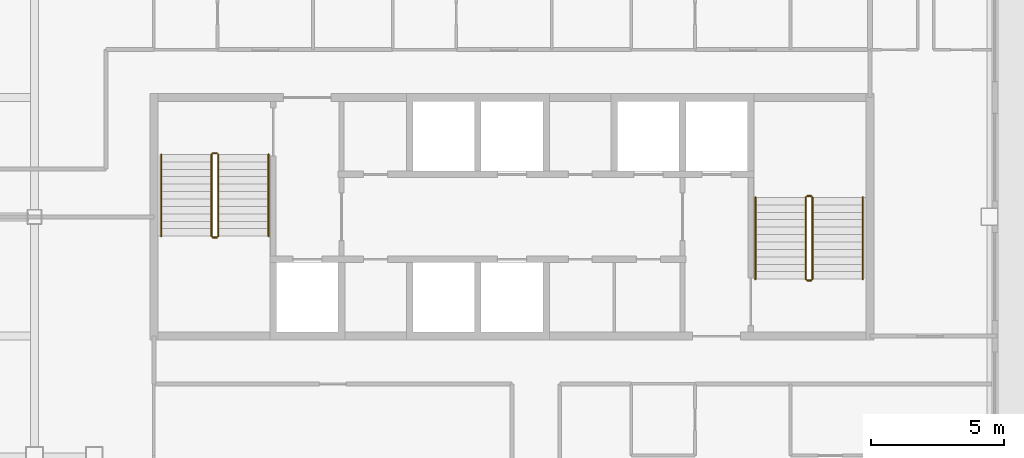
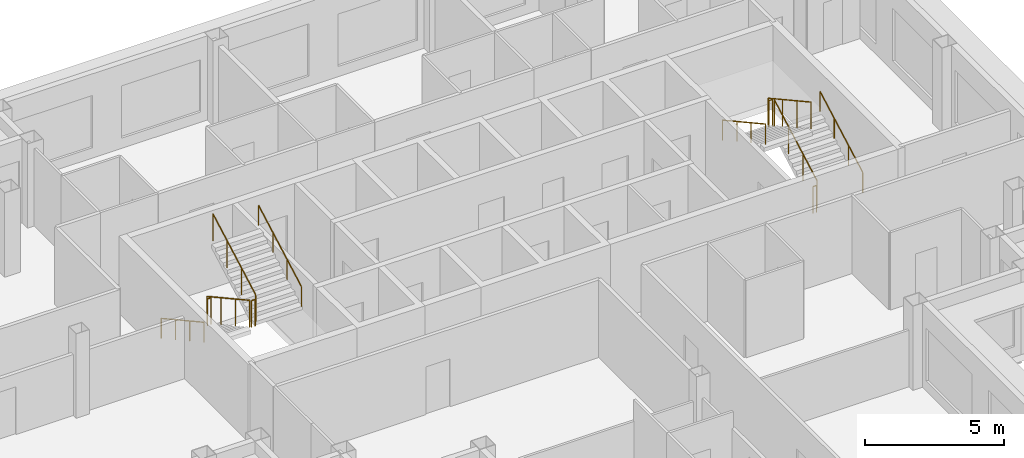
# One storey, part 11 of 11: 12 railings.
"""IFC4 building model written with IfcOpenShell, lengths in metres."""

from ifc_helpers import new_model, si_unit, direction, frame, origin, origin_2d, place, context, subcontext, project, spatial, circle, extrude, material, type_object, element, save


model = new_model("IFC4")

# Units and contexts
model_context = context("Model", 3, precision=1e-05, world=origin(), true_north=direction((0.0, 1.0)))
body_context = subcontext(model_context, "Body", "Model", "MODEL_VIEW")
ifc_project = project(units=[si_unit("LENGTHUNIT", "METRE"), si_unit("AREAUNIT", "SQUARE_METRE"), si_unit("VOLUMEUNIT", "CUBIC_METRE"), si_unit("PLANEANGLEUNIT", "RADIAN"), si_unit("MASSUNIT", "GRAM", prefix="KILO")], contexts=[model_context])

# Site, building, storey
site_placement = place(None, origin())
site = spatial("IfcSite", under=ifc_project, at=site_placement, CompositionType="ELEMENT")
building_placement = place(site_placement, origin())
building = spatial("IfcBuilding", under=site, at=building_placement, Name="Caravel Reach Hotel and Residences", CompositionType="ELEMENT")
storey_placement = place(building_placement, frame((0.0, 0.0, 225.699951171875)))
storey = spatial("IfcBuildingStorey", under=building, at=storey_placement, Name="L57", CompositionType="ELEMENT", Elevation=225.699951171875)

# Railings
ifc_material_1 = material(Name="Steel balustrade with glass infill", Category="steel")
railing_type_1 = type_object("IfcRailingType", Name="Guard 1200", PredefinedType="GUARDRAIL", material=ifc_material_1)
railing_1_placement = place(storey_placement, frame((20.175048828125, 29.35009765625, 0.154296875)))
element("IfcRailing", 1, at=railing_1_placement, inside=storey, type_object=railing_type_1, Name="L57 ST-A stair guard 1", PredefinedType="GUARDRAIL", context=body_context, shape_type="SweptSolid", body=[
    extrude(circle(Radius=0.02392578125, at=origin_2d()), frame((0.0, 0.0, 1.17578125), z_axis=(0.0, -0.876004717809, 0.482302534076), x_axis=(1.0, 0.0, 0.0)), (0.0, 0.0, 1.0), 3.51611328125),
    extrude(circle(Radius=0.02099609375, at=origin_2d()), origin(), (0.0, 0.0, 1.0), 1.15185546875),
    extrude(circle(Radius=0.02099609375, at=origin_2d()), frame((0.0, -1.026611328125, 0.565185546875)), (0.0, 0.0, 1.0), 1.15185546875),
    extrude(circle(Radius=0.02099609375, at=origin_2d()), frame((0.0, -2.053466796875, 1.130615234375)), (0.0, 0.0, 1.0), 1.15185546875),
    extrude(circle(Radius=0.02099609375, at=origin_2d()), frame((0.0, -3.080078125, 1.69580078125)), (0.0, 0.0, 1.0), 1.15185546875),
])
railing_2_placement = place(storey_placement, frame((20.22509765625, 26.219970703125, 1.85009765625)))
element("IfcRailing", 2, at=railing_2_placement, inside=storey, type_object=railing_type_1, Name="L57 ST-A stair guard 2", PredefinedType="GUARDRAIL", context=body_context, shape_type="SweptSolid", body=[
    extrude(circle(Radius=0.02392578125, at=origin_2d()), frame((0.0, 0.0, 1.17578125), z_axis=(1.0, 0.0, 0.0), x_axis=(0.0, 1.0, 0.0)), (0.0, 0.0, 1.0), 0.14990234375),
    extrude(circle(Radius=0.02099609375, at=origin_2d()), origin(), (0.0, 0.0, 1.0), 1.15185546875),
    extrude(circle(Radius=0.02099609375, at=origin_2d()), frame((0.14990234375, 0.0, 0.0)), (0.0, 0.0, 1.0), 1.15185546875),
])
railing_3_placement = place(storey_placement, frame((20.425048828125, 26.27001953125, 2.004150390625)))
element("IfcRailing", 3, at=railing_3_placement, inside=storey, type_object=railing_type_1, Name="L57 ST-A stair guard 3", PredefinedType="GUARDRAIL", context=body_context, shape_type="SweptSolid", body=[
    extrude(circle(Radius=0.02392578125, at=origin_2d()), frame((0.0, 0.0, 1.17578125), z_axis=(0.0, 0.876004717809, 0.482302534076), x_axis=(-1.0, 0.0, 0.0)), (0.0, 0.0, 1.0), 3.51611328125),
    extrude(circle(Radius=0.02099609375, at=origin_2d()), origin(), (0.0, 0.0, 1.0), 1.15185546875),
    extrude(circle(Radius=0.02099609375, at=origin_2d()), frame((0.0, 1.026611328125, 0.565185546875)), (0.0, 0.0, 1.0), 1.15185546875),
    extrude(circle(Radius=0.02099609375, at=origin_2d()), frame((0.0, 2.053466796875, 1.130615234375)), (0.0, 0.0, 1.0), 1.15185546875),
    extrude(circle(Radius=0.02099609375, at=origin_2d()), frame((0.0, 3.080078125, 1.69580078125)), (0.0, 0.0, 1.0), 1.15185546875),
])
railing_4_placement = place(storey_placement, frame((20.22509765625, 29.39990234375, 0.0)))
element("IfcRailing", 4, at=railing_4_placement, inside=storey, type_object=railing_type_1, Name="L57 ST-A stair guard 4", PredefinedType="GUARDRAIL", context=body_context, shape_type="SweptSolid", body=[
    extrude(circle(Radius=0.02392578125, at=origin_2d()), frame((0.0, 0.0, 1.17578125), z_axis=(1.0, 0.0, 0.0), x_axis=(0.0, 1.0, 0.0)), (0.0, 0.0, 1.0), 0.14990234375),
    extrude(circle(Radius=0.02099609375, at=origin_2d()), origin(), (0.0, 0.0, 1.0), 1.15185546875),
    extrude(circle(Radius=0.02099609375, at=origin_2d()), frame((0.14990234375, 0.0, 0.0)), (0.0, 0.0, 1.0), 1.15185546875),
])
railing_5_placement = place(storey_placement, frame((42.824951171875, 24.64990234375, 0.154296875)))
element("IfcRailing", 5, at=railing_5_placement, inside=storey, type_object=railing_type_1, Name="L57 ST-B stair guard 1", PredefinedType="GUARDRAIL", context=body_context, shape_type="SweptSolid", body=[
    extrude(circle(Radius=0.02392578125, at=origin_2d()), frame((0.0, 0.0, 1.17578125), z_axis=(0.0, 0.876004717809, 0.482302534076), x_axis=(-1.0, 0.0, 0.0)), (0.0, 0.0, 1.0), 3.51611328125),
    extrude(circle(Radius=0.02099609375, at=origin_2d()), origin(), (0.0, 0.0, 1.0), 1.15185546875),
    extrude(circle(Radius=0.02099609375, at=origin_2d()), frame((0.0, 1.026611328125, 0.565185546875)), (0.0, 0.0, 1.0), 1.15185546875),
    extrude(circle(Radius=0.02099609375, at=origin_2d()), frame((0.0, 2.053466796875, 1.130615234375)), (0.0, 0.0, 1.0), 1.15185546875),
    extrude(circle(Radius=0.02099609375, at=origin_2d()), frame((0.0, 3.080078125, 1.69580078125)), (0.0, 0.0, 1.0), 1.15185546875),
])
railing_6_placement = place(storey_placement, frame((42.77490234375, 27.780029296875, 1.85009765625)))
element("IfcRailing", 6, at=railing_6_placement, inside=storey, type_object=railing_type_1, Name="L57 ST-B stair guard 2", PredefinedType="GUARDRAIL", context=body_context, shape_type="SweptSolid", body=[
    extrude(circle(Radius=0.02392578125, at=origin_2d()), frame((0.0, 0.0, 1.17578125), z_axis=(-1.0, 0.0, 0.0), x_axis=(0.0, -1.0, 0.0)), (0.0, 0.0, 1.0), 0.14990234375),
    extrude(circle(Radius=0.02099609375, at=origin_2d()), origin(), (0.0, 0.0, 1.0), 1.15185546875),
    extrude(circle(Radius=0.02099609375, at=origin_2d()), frame((-0.14990234375, 0.0, 0.0)), (0.0, 0.0, 1.0), 1.15185546875),
])
railing_7_placement = place(storey_placement, frame((42.574951171875, 27.72998046875, 2.004150390625)))
element("IfcRailing", 7, at=railing_7_placement, inside=storey, type_object=railing_type_1, Name="L57 ST-B stair guard 3", PredefinedType="GUARDRAIL", context=body_context, shape_type="SweptSolid", body=[
    extrude(circle(Radius=0.02392578125, at=origin_2d()), frame((0.0, 0.0, 1.17578125), z_axis=(0.0, -0.876004717809, 0.482302534076), x_axis=(1.0, 0.0, 0.0)), (0.0, 0.0, 1.0), 3.51611328125),
    extrude(circle(Radius=0.02099609375, at=origin_2d()), origin(), (0.0, 0.0, 1.0), 1.15185546875),
    extrude(circle(Radius=0.02099609375, at=origin_2d()), frame((0.0, -1.026611328125, 0.565185546875)), (0.0, 0.0, 1.0), 1.15185546875),
    extrude(circle(Radius=0.02099609375, at=origin_2d()), frame((0.0, -2.053466796875, 1.130615234375)), (0.0, 0.0, 1.0), 1.15185546875),
    extrude(circle(Radius=0.02099609375, at=origin_2d()), frame((0.0, -3.080078125, 1.69580078125)), (0.0, 0.0, 1.0), 1.15185546875),
])
railing_8_placement = place(storey_placement, frame((42.77490234375, 24.60009765625, 0.0)))
element("IfcRailing", 8, at=railing_8_placement, inside=storey, type_object=railing_type_1, Name="L57 ST-B stair guard 4", PredefinedType="GUARDRAIL", context=body_context, shape_type="SweptSolid", body=[
    extrude(circle(Radius=0.02392578125, at=origin_2d()), frame((0.0, 0.0, 1.17578125), z_axis=(-1.0, 0.0, 0.0), x_axis=(0.0, -1.0, 0.0)), (0.0, 0.0, 1.0), 0.14990234375),
    extrude(circle(Radius=0.02099609375, at=origin_2d()), origin(), (0.0, 0.0, 1.0), 1.15185546875),
    extrude(circle(Radius=0.02099609375, at=origin_2d()), frame((-0.14990234375, 0.0, 0.0)), (0.0, 0.0, 1.0), 1.15185546875),
])
ifc_material_2 = material(Name="Stainless steel handrail", Category="steel")
railing_type_2 = type_object("IfcRailingType", Name="Handrail 900", PredefinedType="HANDRAIL", material=ifc_material_2)
railing_9_placement = place(storey_placement, frame((18.27490234375, 29.35009765625, 0.154296875)))
element("IfcRailing", 9, at=railing_9_placement, inside=storey, type_object=railing_type_2, Name="L57 ST-A stair handrail 1", PredefinedType="HANDRAIL", context=body_context, shape_type="SweptSolid", body=[
    extrude(circle(Radius=0.02392578125, at=origin_2d()), frame((0.0, 0.0, 0.8759765625), z_axis=(0.0, -0.876004717809, 0.482302534076), x_axis=(1.0, 0.0, 0.0)), (0.0, 0.0, 1.0), 3.51611328125),
    extrude(circle(Radius=0.02099609375, at=origin_2d()), origin(), (0.0, 0.0, 1.0), 0.851806640625),
    extrude(circle(Radius=0.02099609375, at=origin_2d()), frame((0.0, -1.026611328125, 0.565185546875)), (0.0, 0.0, 1.0), 0.851806640625),
    extrude(circle(Radius=0.02099609375, at=origin_2d()), frame((0.0, -2.053466796875, 1.130615234375)), (0.0, 0.0, 1.0), 0.851806640625),
    extrude(circle(Radius=0.02099609375, at=origin_2d()), frame((0.0, -3.080078125, 1.69580078125)), (0.0, 0.0, 1.0), 0.851806640625),
])
for number, where, name in (
    (10, (22.324951171875, 26.27001953125, 2.004150390625), "L57 ST-A stair handrail 2"),
    (11, (44.72509765625, 24.64990234375, 0.154296875), "L57 ST-B stair handrail 1"),
):
    element("IfcRailing", number, at=place(storey_placement, frame(where)), inside=storey, type_object=railing_type_2, Name=name, PredefinedType="HANDRAIL", context=body_context, shape_type="SweptSolid", body=[
        extrude(circle(Radius=0.02392578125, at=origin_2d()), frame((0.0, 0.0, 0.8759765625), z_axis=(0.0, 0.876004717809, 0.482302534076), x_axis=(-1.0, 0.0, 0.0)), (0.0, 0.0, 1.0), 3.51611328125),
        extrude(circle(Radius=0.02099609375, at=origin_2d()), origin(), (0.0, 0.0, 1.0), 0.851806640625),
        extrude(circle(Radius=0.02099609375, at=origin_2d()), frame((0.0, 1.026611328125, 0.565185546875)), (0.0, 0.0, 1.0), 0.851806640625),
        extrude(circle(Radius=0.02099609375, at=origin_2d()), frame((0.0, 2.053466796875, 1.130615234375)), (0.0, 0.0, 1.0), 0.851806640625),
        extrude(circle(Radius=0.02099609375, at=origin_2d()), frame((0.0, 3.080078125, 1.69580078125)), (0.0, 0.0, 1.0), 0.851806640625),
    ])
railing_10_placement = place(storey_placement, frame((40.675048828125, 27.72998046875, 2.004150390625)))
element("IfcRailing", 12, at=railing_10_placement, inside=storey, type_object=railing_type_2, Name="L57 ST-B stair handrail 2", PredefinedType="HANDRAIL", context=body_context, shape_type="SweptSolid", body=[
    extrude(circle(Radius=0.02392578125, at=origin_2d()), frame((0.0, 0.0, 0.8759765625), z_axis=(0.0, -0.876004717809, 0.482302534076), x_axis=(1.0, 0.0, 0.0)), (0.0, 0.0, 1.0), 3.51611328125),
    extrude(circle(Radius=0.02099609375, at=origin_2d()), origin(), (0.0, 0.0, 1.0), 0.851806640625),
    extrude(circle(Radius=0.02099609375, at=origin_2d()), frame((0.0, -1.026611328125, 0.565185546875)), (0.0, 0.0, 1.0), 0.851806640625),
    extrude(circle(Radius=0.02099609375, at=origin_2d()), frame((0.0, -2.053466796875, 1.130615234375)), (0.0, 0.0, 1.0), 0.851806640625),
    extrude(circle(Radius=0.02099609375, at=origin_2d()), frame((0.0, -3.080078125, 1.69580078125)), (0.0, 0.0, 1.0), 0.851806640625),
])

save(model, "model.ifc")
